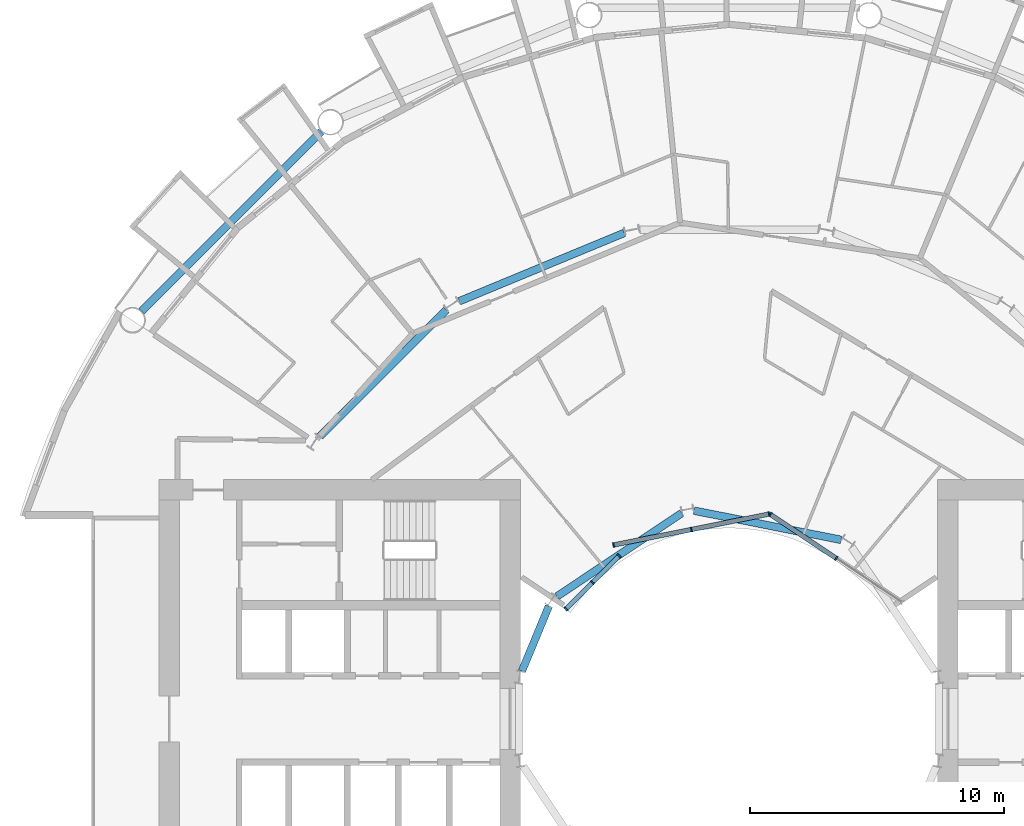
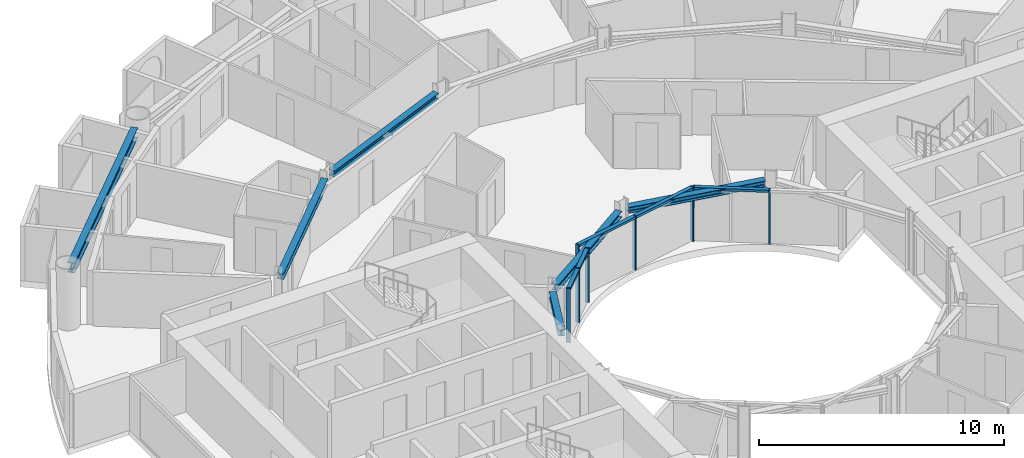
# One storey, part 7 of 26: 13 members, 6 beams, 3 elements without a shape of their own.
"""IFC4 building model written with IfcOpenShell, lengths in metres."""

from ifc_helpers import new_model, si_unit, direction, frame, origin, origin_2d, place, context, subcontext, project, spatial, rectangle, i_section, extrude, material, layer, layer_set, material_profile, profile_set, type_object, element, aggregate, save


model = new_model("IFC4")

# Units and contexts
model_context = context("Model", 3, precision=1e-05, world=origin(), true_north=direction((0.0, 1.0)))
body_context = subcontext(model_context, "Body", "Model", "MODEL_VIEW")
ifc_project = project(units=[si_unit("LENGTHUNIT", "METRE"), si_unit("AREAUNIT", "SQUARE_METRE"), si_unit("VOLUMEUNIT", "CUBIC_METRE"), si_unit("PLANEANGLEUNIT", "RADIAN"), si_unit("MASSUNIT", "GRAM", prefix="KILO")], contexts=[model_context])

# Site, building, storey
site_placement = place(None, origin())
site = spatial("IfcSite", under=ifc_project, at=site_placement, CompositionType="ELEMENT")
building_placement = place(site_placement, origin())
building = spatial("IfcBuilding", under=site, at=building_placement, Name="Maasbend Ring Residences", CompositionType="ELEMENT")
storey_placement = place(building_placement, frame((0.0, 0.0, 47.199951171875)))
storey = spatial("IfcBuildingStorey", under=building, at=storey_placement, Name="L13", CompositionType="ELEMENT", Elevation=47.199951171875)

# Curtain wall, members
ifc_material_1 = material(Name="Aluminium and clear glass", Category="aluminium")
ifc_layer = layer(ifc_material_1, 0.179931640625)
ifc_layer_set = layer_set([ifc_layer], Name="CW-W")
curtain_wall_type = type_object("IfcCurtainWallType", Name="CW-W", PredefinedType="NOTDEFINED", material=ifc_layer_set)
curtain_wall_1_placement = place(storey_placement, origin())
curtain_wall_1 = element("IfcCurtainWall", 1, at=curtain_wall_1_placement, inside=storey, type_object=curtain_wall_type, Name="Well curtain wall N1", PredefinedType="NOTDEFINED")
ifc_material_2 = material(Name="Aluminium 6063-T6", Category="aluminium")
ifc_material_profile_1 = material_profile(ifc_material_2, rectangle(XDim=0.179931640625, YDim=0.06005859375, at=origin_2d()), Name="AL 180x60")
ifc_profile_set_1 = profile_set([ifc_material_profile_1], Name="Aluminium 6063-T6")
member_type_1 = type_object("IfcMemberType", Name="CWM-W", PredefinedType="MULLION", material=ifc_profile_set_1)
member_1_placement = place(storey_placement, frame((4.216796875, 6.310791015625, 0.0), z_axis=(0.0, 0.0, 1.0), x_axis=(-0.55557023302, -0.831469612303, 0.0)))
member_1 = element("IfcMember", 2, at=member_1_placement, type_object=member_type_1, Name="Mullion well face", PredefinedType="MULLION", context=body_context, shape_type="SweptSolid", body=[
    extrude(rectangle(XDim=0.179931640625, YDim=0.06005859375, at=origin_2d()), origin(), (0.0, 0.0, 1.0), 2.699951171875),
])
member_2_placement = place(storey_placement, frame((1.627685546875, 8.040771484375, 0.0), z_axis=(0.0, 0.0, 1.0), x_axis=(-0.55557023302, -0.831469612303, 0.0)))
member_2 = element("IfcMember", 3, at=member_2_placement, type_object=member_type_1, Name="Mullion well face", PredefinedType="MULLION", context=body_context, shape_type="SweptSolid", body=[
    extrude(rectangle(XDim=0.179931640625, YDim=0.06005859375, at=origin_2d()), origin(), (0.0, 0.0, 1.0), 2.699951171875),
])

curtain_wall_2_placement = place(storey_placement, origin())
curtain_wall_2 = element("IfcCurtainWall", 4, at=curtain_wall_2_placement, inside=storey, type_object=curtain_wall_type, Name="Well curtain wall N2", PredefinedType="NOTDEFINED")
member_3_placement = place(storey_placement, frame((1.5732421875, 8.0517578125, 0.0), z_axis=(0.0, 0.0, 1.0), x_axis=(0.195090322016, -0.980785280403, 0.0)))
member_3 = element("IfcMember", 5, at=member_3_placement, type_object=member_type_1, Name="Mullion well face", PredefinedType="MULLION", context=body_context, shape_type="SweptSolid", body=[
    extrude(rectangle(XDim=0.179931640625, YDim=0.06005859375, at=origin_2d()), origin(), (0.0, 0.0, 1.0), 2.699951171875),
])
member_4_placement = place(storey_placement, frame((-1.480712890625, 7.444091796875, 0.0), z_axis=(0.0, 0.0, 1.0), x_axis=(0.195090322016, -0.980785280403, 0.0)))
member_4 = element("IfcMember", 6, at=member_4_placement, type_object=member_type_1, Name="Mullion well face", PredefinedType="MULLION", context=body_context, shape_type="SweptSolid", body=[
    extrude(rectangle(XDim=0.179931640625, YDim=0.06005859375, at=origin_2d()), origin(), (0.0, 0.0, 1.0), 2.699951171875),
])
member_5_placement = place(storey_placement, frame((-4.53466796875, 6.836669921875, 0.0), z_axis=(0.0, 0.0, 1.0), x_axis=(0.195090322016, -0.980785280403, 0.0)))
member_5 = element("IfcMember", 7, at=member_5_placement, type_object=member_type_1, Name="Mullion well face", PredefinedType="MULLION", context=body_context, shape_type="SweptSolid", body=[
    extrude(rectangle(XDim=0.179931640625, YDim=0.06005859375, at=origin_2d()), origin(), (0.0, 0.0, 1.0), 2.699951171875),
])

curtain_wall_3_placement = place(storey_placement, origin())
curtain_wall_3 = element("IfcCurtainWall", 8, at=curtain_wall_3_placement, inside=storey, type_object=curtain_wall_type, Name="Well curtain wall N3", PredefinedType="NOTDEFINED")
member_6_placement = place(storey_placement, frame((-4.320556640625, 6.413330078125, 0.0), z_axis=(0.0, 0.0, 1.0), x_axis=(0.707106781187, -0.707106781187, 0.0)))
member_6 = element("IfcMember", 9, at=member_6_placement, type_object=member_type_1, Name="Mullion well face", PredefinedType="MULLION", context=body_context, shape_type="SweptSolid", body=[
    extrude(rectangle(XDim=0.179931640625, YDim=0.06005859375, at=origin_2d()), origin(), (0.0, 0.0, 1.0), 2.699951171875),
])
member_7_placement = place(storey_placement, frame((-5.366943359375, 5.366943359375, 0.0), z_axis=(0.0, 0.0, 1.0), x_axis=(0.707106781187, -0.707106781187, 0.0)))
member_7 = element("IfcMember", 10, at=member_7_placement, type_object=member_type_1, Name="Mullion well face", PredefinedType="MULLION", context=body_context, shape_type="SweptSolid", body=[
    extrude(rectangle(XDim=0.179931640625, YDim=0.06005859375, at=origin_2d()), origin(), (0.0, 0.0, 1.0), 2.699951171875),
])
member_8_placement = place(storey_placement, frame((-6.413330078125, 4.320556640625, 0.0), z_axis=(0.0, 0.0, 1.0), x_axis=(0.707106781187, -0.707106781187, 0.0)))
member_8 = element("IfcMember", 11, at=member_8_placement, type_object=member_type_1, Name="Mullion well face", PredefinedType="MULLION", context=body_context, shape_type="SweptSolid", body=[
    extrude(rectangle(XDim=0.179931640625, YDim=0.06005859375, at=origin_2d()), origin(), (0.0, 0.0, 1.0), 2.699951171875),
])

# Member
ifc_material_3 = material(Name="Aluminium 6063-T6", Category="aluminium")
ifc_material_profile_2 = material_profile(ifc_material_3, rectangle(XDim=0.179931640625, YDim=0.1201171875, at=origin_2d()), Name="AL 180x120")
ifc_profile_set_2 = profile_set([ifc_material_profile_2], Name="Aluminium 6063-T6")
member_type_2 = type_object("IfcMemberType", Name="CWT-W", PredefinedType="USERDEFINED", material=ifc_profile_set_2)
member_9_placement = place(storey_placement, frame((4.19189453125, 6.32763671875, 2.64013671875), z_axis=(-0.831496422459, 0.555530106689, 0.0), x_axis=(-0.555530106689, -0.831496422459, 0.0)))
member_9 = element("IfcMember", 12, at=member_9_placement, type_object=member_type_2, Name="Transom well face", ObjectType="TRANSOM", PredefinedType="USERDEFINED", context=body_context, shape_type="SweptSolid", body=[
    extrude(rectangle(XDim=0.179931640625, YDim=0.1201171875, at=origin_2d()), origin(), (0.0, 0.0, 1.0), 3.053955078125),
])

aggregate(curtain_wall_1, [member_1, member_2, member_9])

member_10_placement = place(storey_placement, frame((1.5439453125, 8.0458984375, 2.64013671875), z_axis=(-0.980776956105, -0.195132166424, 0.0), x_axis=(0.195132166424, -0.980776956105, 0.0)))
member_10 = element("IfcMember", 13, at=member_10_placement, type_object=member_type_2, Name="Transom well face", ObjectType="TRANSOM", PredefinedType="USERDEFINED", context=body_context, shape_type="SweptSolid", body=[
    extrude(rectangle(XDim=0.179931640625, YDim=0.1201171875, at=origin_2d()), origin(), (0.0, 0.0, 1.0), 3.053955078125),
])

member_11_placement = place(storey_placement, frame((-1.51025390625, 7.438232421875, 2.64013671875), z_axis=(-0.980789210404, -0.19507056353, 0.0), x_axis=(0.19507056353, -0.980789210404, 0.0)))
member_11 = element("IfcMember", 14, at=member_11_placement, type_object=member_type_2, Name="Transom well face", ObjectType="TRANSOM", PredefinedType="USERDEFINED", context=body_context, shape_type="SweptSolid", body=[
    extrude(rectangle(XDim=0.179931640625, YDim=0.1201171875, at=origin_2d()), origin(), (0.0, 0.0, 1.0), 3.0537109375),
])

aggregate(curtain_wall_2, [member_3, member_4, member_5, member_10, member_11])

member_12_placement = place(storey_placement, frame((-4.341796875, 6.39208984375, 2.64013671875), z_axis=(-0.707106781187, -0.707106781187, 0.0), x_axis=(0.707106781187, -0.707106781187, 0.0)))
member_12 = element("IfcMember", 15, at=member_12_placement, type_object=member_type_2, Name="Transom well face", ObjectType="TRANSOM", PredefinedType="USERDEFINED", context=body_context, shape_type="SweptSolid", body=[
    extrude(rectangle(XDim=0.179931640625, YDim=0.1201171875, at=origin_2d()), origin(), (0.0, 0.0, 1.0), 1.419677734375),
])

member_13_placement = place(storey_placement, frame((-5.38818359375, 5.345703125, 2.64013671875), z_axis=(-0.707106781187, -0.707106781187, 0.0), x_axis=(0.707106781187, -0.707106781187, 0.0)))
member_13 = element("IfcMember", 16, at=member_13_placement, type_object=member_type_2, Name="Transom well face", ObjectType="TRANSOM", PredefinedType="USERDEFINED", context=body_context, shape_type="SweptSolid", body=[
    extrude(rectangle(XDim=0.179931640625, YDim=0.1201171875, at=origin_2d()), origin(), (0.0, 0.0, 1.0), 1.419677734375),
])

aggregate(curtain_wall_3, [member_6, member_7, member_8, member_12, member_13])

# Beams
ifc_material_4 = material(Name="Steel S355J2", Category="steel")
ifc_material_profile_3 = material_profile(ifc_material_4, i_section(OverallWidth=0.300048828125, OverallDepth=0.300048828125, WebThickness=0.010986328125, FlangeThickness=0.01904296875, FilletRadius=0.027099609375, at=origin_2d()), Name="HEB 300")
ifc_profile_set_3 = profile_set([ifc_material_profile_3], Name="Steel S355J2")
beam_type_1 = type_object("IfcBeamType", Name="Corridor ring beam HEB 300", PredefinedType="BEAM", material=ifc_profile_set_3)
beam_1_placement = place(storey_placement, frame((-4.11572265625, 19.102294921875, 2.550048828125), z_axis=(-0.923886196809, -0.38266734293, 0.0), x_axis=(0.38266734293, -0.923886196809, 0.0)))
element("IfcBeam", 17, at=beam_1_placement, inside=storey, type_object=beam_type_1, Name="Corridor ring beam", PredefinedType="BEAM", context=body_context, shape_type="SweptSolid", body=[
    extrude(i_section(OverallWidth=0.300048828125, OverallDepth=0.300048828125, WebThickness=0.010986328125, FlangeThickness=0.01904296875, FilletRadius=0.027099609375, at=origin_2d()), origin(), (0.0, 0.0, 1.0), 7.015380859375),
])
beam_2_placement = place(storey_placement, frame((-11.11279296875, 16.0732421875, 2.550048828125), z_axis=(-0.707106781187, -0.707106781187, 0.0), x_axis=(0.707106781187, -0.707106781187, 0.0)))
element("IfcBeam", 18, at=beam_2_placement, inside=storey, type_object=beam_type_1, Name="Corridor ring beam", PredefinedType="BEAM", context=body_context, shape_type="SweptSolid", body=[
    extrude(i_section(OverallWidth=0.300048828125, OverallDepth=0.300048828125, WebThickness=0.010986328125, FlangeThickness=0.01904296875, FilletRadius=0.027099609375, at=origin_2d()), origin(), (0.0, 0.0, 1.0), 7.01513671875),
])
ifc_material_5 = material(Name="Steel S355J2", Category="steel")
ifc_material_profile_4 = material_profile(ifc_material_5, i_section(OverallWidth=0.300048828125, OverallDepth=0.5, WebThickness=0.014404296875, FlangeThickness=0.028076171875, FilletRadius=0.027099609375, at=origin_2d()), Name="HEB 500")
ifc_profile_set_4 = profile_set([ifc_material_profile_4], Name="Steel S355J2")
beam_type_2 = type_object("IfcBeamType", Name="Spandrel ring beam HEB 500", PredefinedType="SPANDREL", material=ifc_profile_set_4)
beam_3_placement = place(storey_placement, frame((-16.0263671875, 23.088134765625, 2.449951171875), z_axis=(-0.707106781187, -0.707106781187, 0.0), x_axis=(0.707106781187, -0.707106781187, 0.0)))
element("IfcBeam", 19, at=beam_3_placement, inside=storey, type_object=beam_type_2, Name="Spandrel ring beam", PredefinedType="SPANDREL", context=body_context, shape_type="SweptSolid", body=[
    extrude(i_section(OverallWidth=0.300048828125, OverallDepth=0.5, WebThickness=0.014404296875, FlangeThickness=0.028076171875, FilletRadius=0.027099609375, at=origin_2d()), origin(), (0.0, 0.0, 1.0), 9.98681640625),
])
ifc_material_6 = material(Name="Steel S355J2", Category="steel")
ifc_material_profile_5 = material_profile(ifc_material_6, i_section(OverallWidth=0.300048828125, OverallDepth=0.300048828125, WebThickness=0.010986328125, FlangeThickness=0.01904296875, FilletRadius=0.027099609375, at=origin_2d()), Name="HEB 300")
ifc_profile_set_5 = profile_set([ifc_material_profile_5], Name="Steel S355J2")
beam_type_3 = type_object("IfcBeamType", Name="Well edge beam HEB 300", PredefinedType="BEAM", material=ifc_profile_set_5)
beam_4_placement = place(storey_placement, frame((4.4013671875, 7.037109375, 2.550048828125), z_axis=(-0.980784282486, 0.195095338819, 0.0), x_axis=(-0.195095338819, -0.980784282486, 0.0)))
element("IfcBeam", 20, at=beam_4_placement, inside=storey, type_object=beam_type_3, Name="Well edge beam", PredefinedType="BEAM", context=body_context, shape_type="SweptSolid", body=[
    extrude(i_section(OverallWidth=0.300048828125, OverallDepth=0.300048828125, WebThickness=0.010986328125, FlangeThickness=0.01904296875, FilletRadius=0.027099609375, at=origin_2d()), origin(), (0.0, 0.0, 1.0), 5.8876953125),
])
beam_5_placement = place(storey_placement, frame((-1.86376953125, 8.08837890625, 2.550048828125), z_axis=(-0.831456549723, -0.555589782054, 0.0), x_axis=(0.555589782054, -0.831456549723, 0.0)))
element("IfcBeam", 21, at=beam_5_placement, inside=storey, type_object=beam_type_3, Name="Well edge beam", PredefinedType="BEAM", context=body_context, shape_type="SweptSolid", body=[
    extrude(i_section(OverallWidth=0.300048828125, OverallDepth=0.300048828125, WebThickness=0.010986328125, FlangeThickness=0.01904296875, FilletRadius=0.027099609375, at=origin_2d()), origin(), (0.0, 0.0, 1.0), 5.887939453125),
])
beam_6_placement = place(storey_placement, frame((-7.081787109375, 4.431396484375, 2.550048828125), z_axis=(-0.382723119906, -0.923863092395, 0.0), x_axis=(0.923863092395, -0.382723119906, 0.0)))
element("IfcBeam", 22, at=beam_6_placement, inside=storey, type_object=beam_type_3, Name="Well edge beam", PredefinedType="BEAM", context=body_context, shape_type="SweptSolid", body=[
    extrude(i_section(OverallWidth=0.300048828125, OverallDepth=0.300048828125, WebThickness=0.010986328125, FlangeThickness=0.01904296875, FilletRadius=0.027099609375, at=origin_2d()), origin(), (0.0, 0.0, 1.0), 2.767822265625),
])

save(model, "model.ifc")
